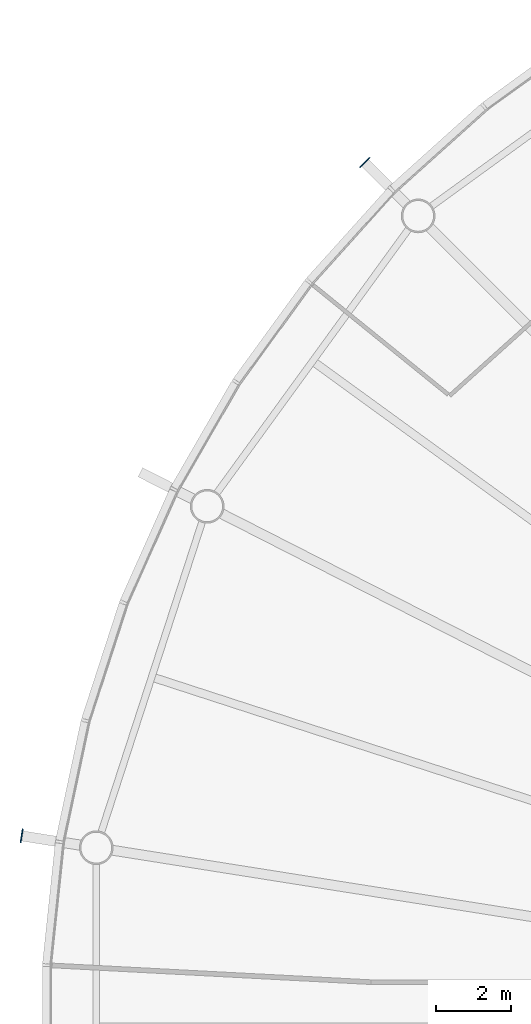
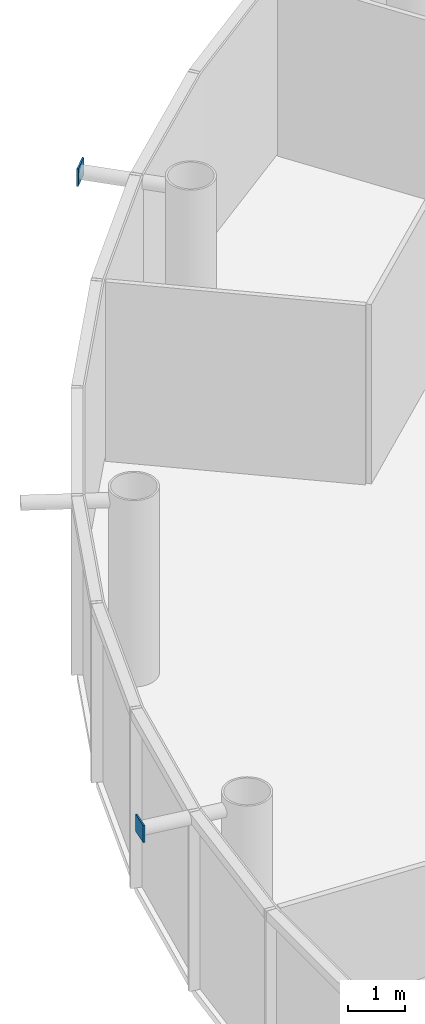
# One storey, part 9 of 18: 2 discrete accessories.
"""IFC4 building model written with IfcOpenShell, lengths in metres."""

from ifc_helpers import new_model, si_unit, direction, frame, origin, origin_2d, place, context, subcontext, project, spatial, rectangle, extrude, material, element, save


model = new_model("IFC4")

# Units and contexts
model_context = context("Model", 3, precision=1e-05, world=origin(), true_north=direction((0.0, 1.0)))
body_context = subcontext(model_context, "Body", "Model", "MODEL_VIEW")
ifc_project = project(units=[si_unit("LENGTHUNIT", "METRE"), si_unit("AREAUNIT", "SQUARE_METRE"), si_unit("VOLUMEUNIT", "CUBIC_METRE"), si_unit("PLANEANGLEUNIT", "RADIAN"), si_unit("MASSUNIT", "GRAM", prefix="KILO")], contexts=[model_context])

# Site, building, storey
site_placement = place(None, origin())
site = spatial("IfcSite", under=ifc_project, at=site_placement, CompositionType="ELEMENT")
building_placement = place(site_placement, origin())
building = spatial("IfcBuilding", under=site, at=building_placement, Name="Entoto Ring Tower", CompositionType="ELEMENT")
storey_placement = place(building_placement, frame((0.0, 0.0, 352.0)))
storey = spatial("IfcBuildingStorey", under=building, at=storey_placement, Name="L81", CompositionType="ELEMENT", Elevation=352.0)

# Discrete accessories
ifc_material = material(Name="Steel S355", Category="steel")
for number, where, z_axis, x_axis, name in (
    (1, (66.937744140625, 103.062255859375, 3.52685546875), (0.0, 0.0, 1.0), (-0.707106781187, 0.707106781187, 0.0), "Node strut end plate DS2 ring 26 08"),
    (2, (57.78662109375, 85.10205078125, 3.52685546875), (0.0, 0.0, 1.0), (-0.987688340595, 0.15643446504, 0.0), "Node strut end plate DS2 ring 26 10"),
):
    element("IfcDiscreteAccessory", number, at=place(storey_placement, frame(where, z_axis=z_axis, x_axis=x_axis)), inside=storey, material=ifc_material, Name=name, PredefinedType="BRACKET", context=body_context, shape_type="SweptSolid", body=[
        extrude(rectangle(XDim=0.030029296875, YDim=0.373046875, at=origin_2d()), origin(), (0.0, 0.0, 1.0), 0.373046875),
    ])

save(model, "model.ifc")
